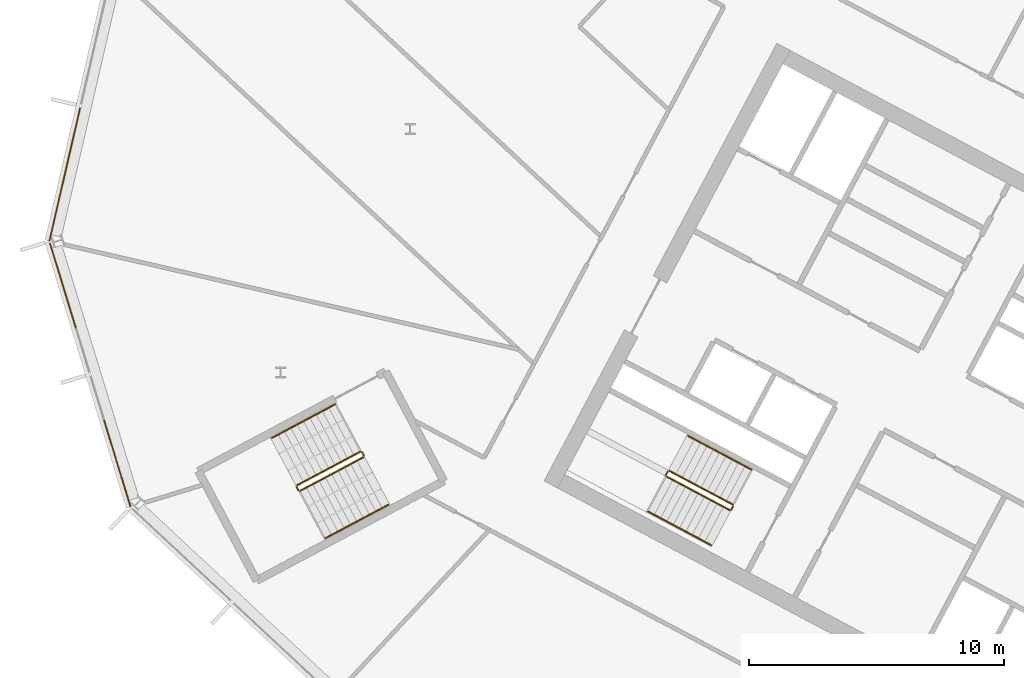
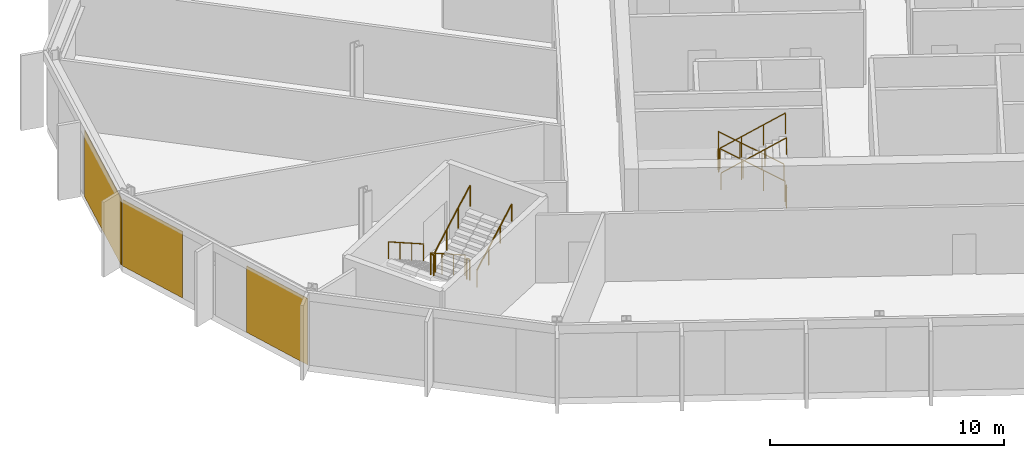
# One storey, part 21 of 27: 12 railings, 3 coverings, 2 elements without a shape of their own.
"""IFC4 building model written with IfcOpenShell, lengths in metres."""

from ifc_helpers import new_model, si_unit, direction, frame, origin, origin_2d, place, context, subcontext, project, spatial, polyline, rectangle, outline, extrude, material, layer, layer_set, type_object, element, aggregate, save


model = new_model("IFC4")

# Units and contexts
model_context = context("Model", 3, precision=1e-05, world=origin(), true_north=direction((0.0, 1.0)))
body_context = subcontext(model_context, "Body", "Model", "MODEL_VIEW")
ifc_project = project(units=[si_unit("LENGTHUNIT", "METRE"), si_unit("AREAUNIT", "SQUARE_METRE"), si_unit("VOLUMEUNIT", "CUBIC_METRE"), si_unit("PLANEANGLEUNIT", "RADIAN"), si_unit("MASSUNIT", "GRAM", prefix="KILO")], contexts=[model_context])

# Site, building, storey
site_placement = place(None, origin())
site = spatial("IfcSite", under=ifc_project, at=site_placement, CompositionType="ELEMENT")
building_placement = place(site_placement, origin())
building = spatial("IfcBuilding", under=site, at=building_placement, Name="Cormorant Relay Tower", CompositionType="ELEMENT")
storey_placement = place(building_placement, frame((0.0, 0.0, 209.10009765625)))
storey = spatial("IfcBuildingStorey", under=building, at=storey_placement, Name="L45", CompositionType="ELEMENT", Elevation=209.10009765625)

# Curtain wall, covering
ifc_material_1 = material(Name="Aluminium 6063-T6 anodised bronze", Category="aluminium")
ifc_layer_1 = layer(ifc_material_1, 0.199951171875)
ifc_layer_set_1 = layer_set([ifc_layer_1], Name="CW1 unitised bronze curtain wall with vertical fins")
curtain_wall_type = type_object("IfcCurtainWallType", Name="CW1 unitised bronze curtain wall with vertical fins", PredefinedType="NOTDEFINED", material=ifc_layer_set_1)
curtain_wall_1_placement = place(storey_placement, origin())
curtain_wall_1 = element("IfcCurtainWall", 1, at=curtain_wall_1_placement, inside=storey, type_object=curtain_wall_type, Name="CW1 curtain wall 13", PredefinedType="NOTDEFINED")
ifc_material_2 = material(Name="Pale bronze anodised aluminium insulated panel", Category="aluminium")
ifc_layer_2 = layer(ifc_material_2, 0.0400390625)
ifc_layer_set_2 = layer_set([ifc_layer_2], Name="CW1 pale bronze insulated panel 40")
covering_type = type_object("IfcCoveringType", Name="CW1 pale bronze insulated panel 40", PredefinedType="CLADDING", material=ifc_layer_set_2)
covering_1_placement = place(storey_placement, frame((-60.136474609375, 23.00927734375, 0.0), z_axis=(0.0, 0.0, 1.0), x_axis=(-0.224951054344, -0.974370064785, 0.0)))
covering_1 = element("IfcCovering", 2, at=covering_1_placement, type_object=covering_type, Name="CW1 panel S02", PredefinedType="CLADDING", context=body_context, shape_type="SweptSolid", body=[
    extrude(rectangle(XDim=5.360107421875, YDim=0.0400390625, at=origin_2d()), origin(), (0.0, 0.0, 1.0), 3.449951171875),
])
aggregate(curtain_wall_1, [covering_1])

# Curtain wall, coverings
curtain_wall_2_placement = place(storey_placement, origin())
curtain_wall_2 = element("IfcCurtainWall", 3, at=curtain_wall_2_placement, inside=storey, type_object=curtain_wall_type, Name="CW1 curtain wall 14", PredefinedType="NOTDEFINED")
covering_2_placement = place(storey_placement, frame((-60.20751953125, 18.6494140625, 0.0), z_axis=(0.0, 0.0, 1.0), x_axis=(0.292371704723, -0.956304755963, 0.0)))
covering_2 = element("IfcCovering", 4, at=covering_2_placement, type_object=covering_type, Name="CW1 panel S00", PredefinedType="CLADDING", context=body_context, shape_type="SweptSolid", body=[
    extrude(rectangle(XDim=3.485107421875, YDim=0.0400390625, at=origin_2d()), origin(), (0.0, 0.0, 1.0), 3.449951171875),
])
covering_3_placement = place(storey_placement, frame((-58.081298828125, 11.6943359375, 0.0), z_axis=(0.0, 0.0, 1.0), x_axis=(0.292371704723, -0.956304755963, 0.0)))
covering_3 = element("IfcCovering", 5, at=covering_3_placement, type_object=covering_type, Name="CW1 panel S03", PredefinedType="CLADDING", context=body_context, shape_type="SweptSolid", body=[
    extrude(rectangle(XDim=3.560302734375, YDim=0.0400390625, at=origin_2d()), origin(), (0.0, 0.0, 1.0), 3.449951171875),
])
aggregate(curtain_wall_2, [covering_2, covering_3])

# Railings
ifc_material_3 = material(Name="Steel ASTM A572 Grade 50 (Fy 345 MPa)", Category="steel")
railing_type_1 = type_object("IfcRailingType", Name="Stair guard 1100", PredefinedType="GUARDRAIL", material=ifc_material_3)
railing_1_placement = place(storey_placement, frame((-33.9921875, 10.08935546875, 0.17724609375)))
element("IfcRailing", 6, at=railing_1_placement, inside=storey, type_object=railing_type_1, Name="L45 A2 stair guard 1", PredefinedType="GUARDRAIL", context=body_context, shape_type="SweptSolid", body=[
    extrude(outline(polyline([(0.022216796875, 0.00927734375), (0.00927734375, 0.022216796875), (-0.00927734375, 0.022216796875), (-0.022216796875, 0.00927734375), (-0.022216796875, -0.00927734375), (-0.00927734375, -0.022216796875), (0.00927734375, -0.022216796875), (0.022216796875, -0.00927734375), (0.022216796875, 0.00927734375)])), frame((0.0, 0.0, 1.076171875), z_axis=(-0.746001213114, 0.396649272309, 0.534931345884), x_axis=(-0.469465464807, -0.882950835185, 0.0)), (0.0, 0.0, 1.0), 3.31396484375),
    extrude(outline(polyline([(0.019287109375, 0.008056640625), (0.008056640625, 0.019287109375), (-0.008056640625, 0.019287109375), (-0.019287109375, 0.008056640625), (-0.019287109375, -0.008056640625), (-0.008056640625, -0.019287109375), (0.008056640625, -0.019287109375), (0.019287109375, -0.008056640625), (0.019287109375, 0.008056640625)])), origin(), (0.0, 0.0, 1.0), 1.052001953125),
    extrude(outline(polyline([(0.019287109375, 0.008056640625), (0.008056640625, 0.019287109375), (-0.008056640625, 0.019287109375), (-0.019287109375, 0.008056640625), (-0.019287109375, -0.008056640625), (-0.008056640625, -0.019287109375), (0.008056640625, -0.019287109375), (0.019287109375, -0.008056640625), (0.019287109375, 0.008056640625)])), frame((-0.823974609375, 0.438232421875, 0.5908203125)), (0.0, 0.0, 1.0), 1.052001953125),
    extrude(outline(polyline([(0.019287109375, 0.008056640625), (0.008056640625, 0.019287109375), (-0.008056640625, 0.019287109375), (-0.019287109375, 0.008056640625), (-0.019287109375, -0.008056640625), (-0.008056640625, -0.019287109375), (0.008056640625, -0.019287109375), (0.019287109375, -0.008056640625), (0.019287109375, 0.008056640625)])), frame((-1.648193359375, 0.876220703125, 1.181884765625)), (0.0, 0.0, 1.0), 1.052001953125),
    extrude(outline(polyline([(0.019287109375, 0.008056640625), (0.008056640625, 0.019287109375), (-0.008056640625, 0.019287109375), (-0.019287109375, 0.008056640625), (-0.019287109375, -0.008056640625), (-0.008056640625, -0.019287109375), (0.008056640625, -0.019287109375), (0.019287109375, -0.008056640625), (0.019287109375, 0.008056640625)])), frame((-2.47216796875, 1.314453125, 1.772705078125)), (0.0, 0.0, 1.0), 1.052001953125),
])
railing_2_placement = place(storey_placement, frame((-36.531982421875, 11.38330078125, 1.949951171875)))
element("IfcRailing", 7, at=railing_2_placement, inside=storey, type_object=railing_type_1, Name="L45 A2 stair guard 2", PredefinedType="GUARDRAIL", context=body_context, shape_type="SweptSolid", body=[
    extrude(outline(polyline([(0.022216796875, 0.00927734375), (0.00927734375, 0.022216796875), (-0.00927734375, 0.022216796875), (-0.022216796875, 0.00927734375), (-0.022216796875, -0.00927734375), (-0.00927734375, -0.022216796875), (0.00927734375, -0.022216796875), (0.022216796875, -0.00927734375), (0.022216796875, 0.00927734375)])), frame((0.0, 0.0, 1.076171875), z_axis=(-0.469828648786, -0.882757634224, 0.0), x_axis=(0.882757634224, -0.469828648786, 0.0)), (0.0, 0.0, 1.0), 0.150146484375),
    extrude(outline(polyline([(0.019287109375, 0.008056640625), (0.008056640625, 0.019287109375), (-0.008056640625, 0.019287109375), (-0.019287109375, 0.008056640625), (-0.019287109375, -0.008056640625), (-0.008056640625, -0.019287109375), (0.008056640625, -0.019287109375), (0.019287109375, -0.008056640625), (0.019287109375, 0.008056640625)])), origin(), (0.0, 0.0, 1.0), 1.052001953125),
    extrude(outline(polyline([(0.019287109375, 0.008056640625), (0.008056640625, 0.019287109375), (-0.008056640625, 0.019287109375), (-0.019287109375, 0.008056640625), (-0.019287109375, -0.008056640625), (-0.008056640625, -0.019287109375), (0.008056640625, -0.019287109375), (0.019287109375, -0.008056640625), (0.019287109375, 0.008056640625)])), frame((-0.070556640625, -0.132568359375, 0.0)), (0.0, 0.0, 1.0), 1.052001953125),
])
railing_3_placement = place(storey_placement, frame((-36.581787109375, 11.18310546875, 2.127197265625)))
element("IfcRailing", 8, at=railing_3_placement, inside=storey, type_object=railing_type_1, Name="L45 A2 stair guard 3", PredefinedType="GUARDRAIL", context=body_context, shape_type="SweptSolid", body=[
    extrude(outline(polyline([(0.022216796875, 0.00927734375), (0.00927734375, 0.022216796875), (-0.00927734375, 0.022216796875), (-0.022216796875, 0.00927734375), (-0.022216796875, -0.00927734375), (-0.00927734375, -0.022216796875), (0.00927734375, -0.022216796875), (0.022216796875, -0.00927734375), (0.022216796875, 0.00927734375)])), frame((0.0, 0.0, 1.076171875), z_axis=(0.746001213114, -0.396649272309, 0.534931345884), x_axis=(0.469465464807, 0.882950835185, 0.0)), (0.0, 0.0, 1.0), 3.31396484375),
    extrude(outline(polyline([(0.019287109375, 0.008056640625), (0.008056640625, 0.019287109375), (-0.008056640625, 0.019287109375), (-0.019287109375, 0.008056640625), (-0.019287109375, -0.008056640625), (-0.008056640625, -0.019287109375), (0.008056640625, -0.019287109375), (0.019287109375, -0.008056640625), (0.019287109375, 0.008056640625)])), origin(), (0.0, 0.0, 1.0), 1.052001953125),
    extrude(outline(polyline([(0.019287109375, 0.008056640625), (0.008056640625, 0.019287109375), (-0.008056640625, 0.019287109375), (-0.019287109375, 0.008056640625), (-0.019287109375, -0.008056640625), (-0.008056640625, -0.019287109375), (0.008056640625, -0.019287109375), (0.019287109375, -0.008056640625), (0.019287109375, 0.008056640625)])), frame((0.823974609375, -0.438232421875, 0.5908203125)), (0.0, 0.0, 1.0), 1.052001953125),
    extrude(outline(polyline([(0.019287109375, 0.008056640625), (0.008056640625, 0.019287109375), (-0.008056640625, 0.019287109375), (-0.019287109375, 0.008056640625), (-0.019287109375, -0.008056640625), (-0.008056640625, -0.019287109375), (0.008056640625, -0.019287109375), (0.019287109375, -0.008056640625), (0.019287109375, 0.008056640625)])), frame((1.648193359375, -0.876220703125, 1.181884765625)), (0.0, 0.0, 1.0), 1.052001953125),
    extrude(outline(polyline([(0.019287109375, 0.008056640625), (0.008056640625, 0.019287109375), (-0.008056640625, 0.019287109375), (-0.019287109375, 0.008056640625), (-0.019287109375, -0.008056640625), (-0.008056640625, -0.019287109375), (0.008056640625, -0.019287109375), (0.019287109375, -0.008056640625), (0.019287109375, 0.008056640625)])), frame((2.47216796875, -1.314453125, 1.772705078125)), (0.0, 0.0, 1.0), 1.052001953125),
])
railing_4_placement = place(storey_placement, frame((-33.971435546875, 10.021728515625, 0.0)))
element("IfcRailing", 9, at=railing_4_placement, inside=storey, type_object=railing_type_1, Name="L45 A2 stair guard 4", PredefinedType="GUARDRAIL", context=body_context, shape_type="SweptSolid", body=[
    extrude(outline(polyline([(0.022216796875, 0.00927734375), (0.00927734375, 0.022216796875), (-0.00927734375, 0.022216796875), (-0.022216796875, 0.00927734375), (-0.022216796875, -0.00927734375), (-0.00927734375, -0.022216796875), (0.00927734375, -0.022216796875), (0.022216796875, -0.00927734375), (0.022216796875, 0.00927734375)])), frame((0.0, 0.0, 1.076171875), z_axis=(-0.470503732759, -0.882398003998, 0.0), x_axis=(0.882398003998, -0.470503732759, 0.0)), (0.0, 0.0, 1.0), 0.14990234375),
    extrude(outline(polyline([(0.019287109375, 0.008056640625), (0.008056640625, 0.019287109375), (-0.008056640625, 0.019287109375), (-0.019287109375, 0.008056640625), (-0.019287109375, -0.008056640625), (-0.008056640625, -0.019287109375), (0.008056640625, -0.019287109375), (0.019287109375, -0.008056640625), (0.019287109375, 0.008056640625)])), origin(), (0.0, 0.0, 1.0), 1.052001953125),
    extrude(outline(polyline([(0.019287109375, 0.008056640625), (0.008056640625, 0.019287109375), (-0.008056640625, 0.019287109375), (-0.019287109375, 0.008056640625), (-0.019287109375, -0.008056640625), (-0.008056640625, -0.019287109375), (0.008056640625, -0.019287109375), (0.019287109375, -0.008056640625), (0.019287109375, 0.008056640625)])), frame((-0.070556640625, -0.13232421875, 0.0)), (0.0, 0.0, 1.0), 1.052001953125),
])
railing_5_placement = place(storey_placement, frame((-48.5693359375, 12.155517578125, 0.17724609375)))
element("IfcRailing", 10, at=railing_5_placement, inside=storey, type_object=railing_type_1, Name="L45 RP1 stair guard 1", PredefinedType="GUARDRAIL", context=body_context, shape_type="SweptSolid", body=[
    extrude(outline(polyline([(0.022216796875, 0.00927734375), (0.00927734375, 0.022216796875), (-0.00927734375, 0.022216796875), (-0.022216796875, 0.00927734375), (-0.022216796875, -0.00927734375), (-0.00927734375, -0.022216796875), (0.00927734375, -0.022216796875), (0.022216796875, -0.00927734375), (0.022216796875, 0.00927734375)])), frame((0.0, 0.0, 1.076171875), z_axis=(-0.746012083385, -0.396689549623, 0.534886317514), x_axis=(0.469497295046, -0.882933910293, 0.0)), (0.0, 0.0, 1.0), 3.314208984375),
    extrude(outline(polyline([(0.019287109375, 0.008056640625), (0.008056640625, 0.019287109375), (-0.008056640625, 0.019287109375), (-0.019287109375, 0.008056640625), (-0.019287109375, -0.008056640625), (-0.008056640625, -0.019287109375), (0.008056640625, -0.019287109375), (0.019287109375, -0.008056640625), (0.019287109375, 0.008056640625)])), origin(), (0.0, 0.0, 1.0), 1.052001953125),
    extrude(outline(polyline([(0.019287109375, 0.008056640625), (0.008056640625, 0.019287109375), (-0.008056640625, 0.019287109375), (-0.019287109375, 0.008056640625), (-0.019287109375, -0.008056640625), (-0.008056640625, -0.019287109375), (0.008056640625, -0.019287109375), (0.019287109375, -0.008056640625), (0.019287109375, 0.008056640625)])), frame((-0.82421875, -0.438232421875, 0.5908203125)), (0.0, 0.0, 1.0), 1.052001953125),
    extrude(outline(polyline([(0.019287109375, 0.008056640625), (0.008056640625, 0.019287109375), (-0.008056640625, 0.019287109375), (-0.019287109375, 0.008056640625), (-0.019287109375, -0.008056640625), (-0.008056640625, -0.019287109375), (0.008056640625, -0.019287109375), (0.019287109375, -0.008056640625), (0.019287109375, 0.008056640625)])), frame((-1.648193359375, -0.87646484375, 1.181884765625)), (0.0, 0.0, 1.0), 1.052001953125),
    extrude(outline(polyline([(0.019287109375, 0.008056640625), (0.008056640625, 0.019287109375), (-0.008056640625, 0.019287109375), (-0.019287109375, 0.008056640625), (-0.019287109375, -0.008056640625), (-0.008056640625, -0.019287109375), (0.008056640625, -0.019287109375), (0.019287109375, -0.008056640625), (0.019287109375, 0.008056640625)])), frame((-2.472412109375, -1.314697265625, 1.772705078125)), (0.0, 0.0, 1.0), 1.052001953125),
])
railing_6_placement = place(storey_placement, frame((-51.062255859375, 10.773193359375, 1.949951171875)))
element("IfcRailing", 11, at=railing_6_placement, inside=storey, type_object=railing_type_1, Name="L45 RP1 stair guard 2", PredefinedType="GUARDRAIL", context=body_context, shape_type="SweptSolid", body=[
    extrude(outline(polyline([(0.022216796875, 0.00927734375), (0.00927734375, 0.022216796875), (-0.00927734375, 0.022216796875), (-0.022216796875, 0.00927734375), (-0.022216796875, -0.00927734375), (-0.00927734375, -0.022216796875), (0.00927734375, -0.022216796875), (0.022216796875, -0.00927734375), (0.022216796875, 0.00927734375)])), frame((0.0, 0.0, 1.076171875), z_axis=(0.469234640946, -0.883073525669, 0.0), x_axis=(0.883073525669, 0.469234640946, 0.0)), (0.0, 0.0, 1.0), 0.14990234375),
    extrude(outline(polyline([(0.019287109375, 0.008056640625), (0.008056640625, 0.019287109375), (-0.008056640625, 0.019287109375), (-0.019287109375, 0.008056640625), (-0.019287109375, -0.008056640625), (-0.008056640625, -0.019287109375), (0.008056640625, -0.019287109375), (0.019287109375, -0.008056640625), (0.019287109375, 0.008056640625)])), origin(), (0.0, 0.0, 1.0), 1.052001953125),
    extrude(outline(polyline([(0.019287109375, 0.008056640625), (0.008056640625, 0.019287109375), (-0.008056640625, 0.019287109375), (-0.019287109375, 0.008056640625), (-0.019287109375, -0.008056640625), (-0.008056640625, -0.019287109375), (0.008056640625, -0.019287109375), (0.019287109375, -0.008056640625), (0.019287109375, 0.008056640625)])), frame((0.0703125, -0.13232421875, 0.0)), (0.0, 0.0, 1.0), 1.052001953125),
])
railing_7_placement = place(storey_placement, frame((-50.92431640625, 10.6201171875, 2.127197265625)))
element("IfcRailing", 12, at=railing_7_placement, inside=storey, type_object=railing_type_1, Name="L45 RP1 stair guard 3", PredefinedType="GUARDRAIL", context=body_context, shape_type="SweptSolid", body=[
    extrude(outline(polyline([(0.022216796875, 0.00927734375), (0.00927734375, 0.022216796875), (-0.00927734375, 0.022216796875), (-0.022216796875, 0.00927734375), (-0.022216796875, -0.00927734375), (-0.00927734375, -0.022216796875), (0.00927734375, -0.022216796875), (0.022216796875, -0.00927734375), (0.022216796875, 0.00927734375)])), frame((0.0, 0.0, 1.076171875), z_axis=(0.746033882577, 0.396627473466, 0.534901947407), x_axis=(-0.469429322983, 0.882970050864, 0.0)), (0.0, 0.0, 1.0), 3.31396484375),
    extrude(outline(polyline([(0.019287109375, 0.008056640625), (0.008056640625, 0.019287109375), (-0.008056640625, 0.019287109375), (-0.019287109375, 0.008056640625), (-0.019287109375, -0.008056640625), (-0.008056640625, -0.019287109375), (0.008056640625, -0.019287109375), (0.019287109375, -0.008056640625), (0.019287109375, 0.008056640625)])), origin(), (0.0, 0.0, 1.0), 1.052001953125),
    extrude(outline(polyline([(0.019287109375, 0.008056640625), (0.008056640625, 0.019287109375), (-0.008056640625, 0.019287109375), (-0.019287109375, 0.008056640625), (-0.019287109375, -0.008056640625), (-0.008056640625, -0.019287109375), (0.008056640625, -0.019287109375), (0.019287109375, -0.008056640625), (0.019287109375, 0.008056640625)])), frame((0.82421875, 0.438232421875, 0.5908203125)), (0.0, 0.0, 1.0), 1.052001953125),
    extrude(outline(polyline([(0.019287109375, 0.008056640625), (0.008056640625, 0.019287109375), (-0.008056640625, 0.019287109375), (-0.019287109375, 0.008056640625), (-0.019287109375, -0.008056640625), (-0.008056640625, -0.019287109375), (0.008056640625, -0.019287109375), (0.019287109375, -0.008056640625), (0.019287109375, 0.008056640625)])), frame((1.648193359375, 0.876220703125, 1.181884765625)), (0.0, 0.0, 1.0), 1.052001953125),
    extrude(outline(polyline([(0.019287109375, 0.008056640625), (0.008056640625, 0.019287109375), (-0.008056640625, 0.019287109375), (-0.019287109375, 0.008056640625), (-0.019287109375, -0.008056640625), (-0.008056640625, -0.019287109375), (0.008056640625, -0.019287109375), (0.019287109375, -0.008056640625), (0.019287109375, 0.008056640625)])), frame((2.472412109375, 1.314453125, 1.772705078125)), (0.0, 0.0, 1.0), 1.052001953125),
])
railing_8_placement = place(storey_placement, frame((-48.501708984375, 12.134765625, 0.0)))
element("IfcRailing", 13, at=railing_8_placement, inside=storey, type_object=railing_type_1, Name="L45 RP1 stair guard 4", PredefinedType="GUARDRAIL", context=body_context, shape_type="SweptSolid", body=[
    extrude(outline(polyline([(0.022216796875, 0.00927734375), (0.00927734375, 0.022216796875), (-0.00927734375, 0.022216796875), (-0.022216796875, 0.00927734375), (-0.022216796875, -0.00927734375), (-0.00927734375, -0.022216796875), (0.00927734375, -0.022216796875), (0.022216796875, -0.00927734375), (0.022216796875, 0.00927734375)])), frame((0.0, 0.0, 1.076171875), z_axis=(0.46856034887, -0.8834314911, 0.0), x_axis=(0.8834314911, 0.46856034887, 0.0)), (0.0, 0.0, 1.0), 0.150146484375),
    extrude(outline(polyline([(0.019287109375, 0.008056640625), (0.008056640625, 0.019287109375), (-0.008056640625, 0.019287109375), (-0.019287109375, 0.008056640625), (-0.019287109375, -0.008056640625), (-0.008056640625, -0.019287109375), (0.008056640625, -0.019287109375), (0.019287109375, -0.008056640625), (0.019287109375, 0.008056640625)])), origin(), (0.0, 0.0, 1.0), 1.052001953125),
    extrude(outline(polyline([(0.019287109375, 0.008056640625), (0.008056640625, 0.019287109375), (-0.008056640625, 0.019287109375), (-0.019287109375, 0.008056640625), (-0.019287109375, -0.008056640625), (-0.008056640625, -0.019287109375), (0.008056640625, -0.019287109375), (0.019287109375, -0.008056640625), (0.019287109375, 0.008056640625)])), frame((0.0703125, -0.132568359375, 0.0)), (0.0, 0.0, 1.0), 1.052001953125),
])
ifc_material_4 = material(Name="Steel ASTM A572 Grade 50 (Fy 345 MPa)", Category="steel")
railing_type_2 = type_object("IfcRailingType", Name="Stair handrail 900", PredefinedType="HANDRAIL", material=ifc_material_4)
railing_9_placement = place(storey_placement, frame((-33.264404296875, 11.4580078125, 0.17724609375)))
element("IfcRailing", 14, at=railing_9_placement, inside=storey, type_object=railing_type_2, Name="L45 A2 stair handrail 1", PredefinedType="HANDRAIL", context=body_context, shape_type="SweptSolid", body=[
    extrude(outline(polyline([(0.022216796875, 0.00927734375), (0.00927734375, 0.022216796875), (-0.00927734375, 0.022216796875), (-0.022216796875, 0.00927734375), (-0.022216796875, -0.00927734375), (-0.00927734375, -0.022216796875), (0.00927734375, -0.022216796875), (0.022216796875, -0.00927734375), (0.022216796875, 0.00927734375)])), frame((0.0, 0.0, 0.8759765625), z_axis=(-0.746033882577, 0.396627473466, 0.534901947407), x_axis=(-0.469429322983, -0.882970050864, 0.0)), (0.0, 0.0, 1.0), 3.31396484375),
    extrude(outline(polyline([(0.019287109375, 0.008056640625), (0.008056640625, 0.019287109375), (-0.008056640625, 0.019287109375), (-0.019287109375, 0.008056640625), (-0.019287109375, -0.008056640625), (-0.008056640625, -0.019287109375), (0.008056640625, -0.019287109375), (0.019287109375, -0.008056640625), (0.019287109375, 0.008056640625)])), origin(), (0.0, 0.0, 1.0), 0.851806640625),
    extrude(outline(polyline([(0.019287109375, 0.008056640625), (0.008056640625, 0.019287109375), (-0.008056640625, 0.019287109375), (-0.019287109375, 0.008056640625), (-0.019287109375, -0.008056640625), (-0.008056640625, -0.019287109375), (0.008056640625, -0.019287109375), (0.019287109375, -0.008056640625), (0.019287109375, 0.008056640625)])), frame((-0.82421875, 0.438232421875, 0.5908203125)), (0.0, 0.0, 1.0), 0.851806640625),
    extrude(outline(polyline([(0.019287109375, 0.008056640625), (0.008056640625, 0.019287109375), (-0.008056640625, 0.019287109375), (-0.019287109375, 0.008056640625), (-0.019287109375, -0.008056640625), (-0.008056640625, -0.019287109375), (0.008056640625, -0.019287109375), (0.019287109375, -0.008056640625), (0.019287109375, 0.008056640625)])), frame((-1.648193359375, 0.876220703125, 1.181884765625)), (0.0, 0.0, 1.0), 0.851806640625),
    extrude(outline(polyline([(0.019287109375, 0.008056640625), (0.008056640625, 0.019287109375), (-0.008056640625, 0.019287109375), (-0.019287109375, 0.008056640625), (-0.019287109375, -0.008056640625), (-0.008056640625, -0.019287109375), (0.008056640625, -0.019287109375), (0.019287109375, -0.008056640625), (0.019287109375, 0.008056640625)])), frame((-2.472412109375, 1.314453125, 1.772705078125)), (0.0, 0.0, 1.0), 0.851806640625),
])
railing_10_placement = place(storey_placement, frame((-37.3095703125, 9.814453125, 2.127197265625)))
element("IfcRailing", 15, at=railing_10_placement, inside=storey, type_object=railing_type_2, Name="L45 A2 stair handrail 2", PredefinedType="HANDRAIL", context=body_context, shape_type="SweptSolid", body=[
    extrude(outline(polyline([(0.022216796875, 0.00927734375), (0.00927734375, 0.022216796875), (-0.00927734375, 0.022216796875), (-0.022216796875, 0.00927734375), (-0.022216796875, -0.00927734375), (-0.00927734375, -0.022216796875), (0.00927734375, -0.022216796875), (0.022216796875, -0.00927734375), (0.022216796875, 0.00927734375)])), frame((0.0, 0.0, 0.8759765625), z_axis=(0.746033882577, -0.396627473466, 0.534901947407), x_axis=(0.469429322983, 0.882970050864, 0.0)), (0.0, 0.0, 1.0), 3.31396484375),
    extrude(outline(polyline([(0.019287109375, 0.008056640625), (0.008056640625, 0.019287109375), (-0.008056640625, 0.019287109375), (-0.019287109375, 0.008056640625), (-0.019287109375, -0.008056640625), (-0.008056640625, -0.019287109375), (0.008056640625, -0.019287109375), (0.019287109375, -0.008056640625), (0.019287109375, 0.008056640625)])), origin(), (0.0, 0.0, 1.0), 0.851806640625),
    extrude(outline(polyline([(0.019287109375, 0.008056640625), (0.008056640625, 0.019287109375), (-0.008056640625, 0.019287109375), (-0.019287109375, 0.008056640625), (-0.019287109375, -0.008056640625), (-0.008056640625, -0.019287109375), (0.008056640625, -0.019287109375), (0.019287109375, -0.008056640625), (0.019287109375, 0.008056640625)])), frame((0.82421875, -0.438232421875, 0.5908203125)), (0.0, 0.0, 1.0), 0.851806640625),
    extrude(outline(polyline([(0.019287109375, 0.008056640625), (0.008056640625, 0.019287109375), (-0.008056640625, 0.019287109375), (-0.019287109375, 0.008056640625), (-0.019287109375, -0.008056640625), (-0.008056640625, -0.019287109375), (0.008056640625, -0.019287109375), (0.019287109375, -0.008056640625), (0.019287109375, 0.008056640625)])), frame((1.648193359375, -0.876220703125, 1.181884765625)), (0.0, 0.0, 1.0), 0.851806640625),
    extrude(outline(polyline([(0.019287109375, 0.008056640625), (0.008056640625, 0.019287109375), (-0.008056640625, 0.019287109375), (-0.019287109375, 0.008056640625), (-0.019287109375, -0.008056640625), (-0.008056640625, -0.019287109375), (0.008056640625, -0.019287109375), (0.019287109375, -0.008056640625), (0.019287109375, 0.008056640625)])), frame((2.472412109375, -1.314453125, 1.772705078125)), (0.0, 0.0, 1.0), 0.851806640625),
])
railing_11_placement = place(storey_placement, frame((-49.55517578125, 14.009521484375, 0.17724609375)))
element("IfcRailing", 16, at=railing_11_placement, inside=storey, type_object=railing_type_2, Name="L45 RP1 stair handrail 1", PredefinedType="HANDRAIL", context=body_context, shape_type="SweptSolid", body=[
    extrude(outline(polyline([(0.022216796875, 0.00927734375), (0.00927734375, 0.022216796875), (-0.00927734375, 0.022216796875), (-0.022216796875, 0.00927734375), (-0.022216796875, -0.00927734375), (-0.00927734375, -0.022216796875), (0.00927734375, -0.022216796875), (0.022216796875, -0.00927734375), (0.022216796875, 0.00927734375)])), frame((0.0, 0.0, 0.8759765625), z_axis=(-0.746033882577, -0.396627473466, 0.534901947407), x_axis=(0.469429322983, -0.882970050864, 0.0)), (0.0, 0.0, 1.0), 3.31396484375),
    extrude(outline(polyline([(0.019287109375, 0.008056640625), (0.008056640625, 0.019287109375), (-0.008056640625, 0.019287109375), (-0.019287109375, 0.008056640625), (-0.019287109375, -0.008056640625), (-0.008056640625, -0.019287109375), (0.008056640625, -0.019287109375), (0.019287109375, -0.008056640625), (0.019287109375, 0.008056640625)])), origin(), (0.0, 0.0, 1.0), 0.851806640625),
    extrude(outline(polyline([(0.019287109375, 0.008056640625), (0.008056640625, 0.019287109375), (-0.008056640625, 0.019287109375), (-0.019287109375, 0.008056640625), (-0.019287109375, -0.008056640625), (-0.008056640625, -0.019287109375), (0.008056640625, -0.019287109375), (0.019287109375, -0.008056640625), (0.019287109375, 0.008056640625)])), frame((-0.82421875, -0.438232421875, 0.5908203125)), (0.0, 0.0, 1.0), 0.851806640625),
    extrude(outline(polyline([(0.019287109375, 0.008056640625), (0.008056640625, 0.019287109375), (-0.008056640625, 0.019287109375), (-0.019287109375, 0.008056640625), (-0.019287109375, -0.008056640625), (-0.008056640625, -0.019287109375), (0.008056640625, -0.019287109375), (0.019287109375, -0.008056640625), (0.019287109375, 0.008056640625)])), frame((-1.648193359375, -0.876220703125, 1.181884765625)), (0.0, 0.0, 1.0), 0.851806640625),
    extrude(outline(polyline([(0.019287109375, 0.008056640625), (0.008056640625, 0.019287109375), (-0.008056640625, 0.019287109375), (-0.019287109375, 0.008056640625), (-0.019287109375, -0.008056640625), (-0.008056640625, -0.019287109375), (0.008056640625, -0.019287109375), (0.019287109375, -0.008056640625), (0.019287109375, 0.008056640625)])), frame((-2.472412109375, -1.314453125, 1.772705078125)), (0.0, 0.0, 1.0), 0.851806640625),
])
railing_12_placement = place(storey_placement, frame((-49.9384765625, 8.765869140625, 2.127197265625)))
element("IfcRailing", 17, at=railing_12_placement, inside=storey, type_object=railing_type_2, Name="L45 RP1 stair handrail 2", PredefinedType="HANDRAIL", context=body_context, shape_type="SweptSolid", body=[
    extrude(outline(polyline([(0.022216796875, 0.00927734375), (0.00927734375, 0.022216796875), (-0.00927734375, 0.022216796875), (-0.022216796875, 0.00927734375), (-0.022216796875, -0.00927734375), (-0.00927734375, -0.022216796875), (0.00927734375, -0.022216796875), (0.022216796875, -0.00927734375), (0.022216796875, 0.00927734375)])), frame((0.0, 0.0, 0.8759765625), z_axis=(0.746012083385, 0.396689549623, 0.534886317514), x_axis=(-0.469497295046, 0.882933910293, 0.0)), (0.0, 0.0, 1.0), 3.314208984375),
    extrude(outline(polyline([(0.019287109375, 0.008056640625), (0.008056640625, 0.019287109375), (-0.008056640625, 0.019287109375), (-0.019287109375, 0.008056640625), (-0.019287109375, -0.008056640625), (-0.008056640625, -0.019287109375), (0.008056640625, -0.019287109375), (0.019287109375, -0.008056640625), (0.019287109375, 0.008056640625)])), origin(), (0.0, 0.0, 1.0), 0.851806640625),
    extrude(outline(polyline([(0.019287109375, 0.008056640625), (0.008056640625, 0.019287109375), (-0.008056640625, 0.019287109375), (-0.019287109375, 0.008056640625), (-0.019287109375, -0.008056640625), (-0.008056640625, -0.019287109375), (0.008056640625, -0.019287109375), (0.019287109375, -0.008056640625), (0.019287109375, 0.008056640625)])), frame((0.82421875, 0.438232421875, 0.5908203125)), (0.0, 0.0, 1.0), 0.851806640625),
    extrude(outline(polyline([(0.019287109375, 0.008056640625), (0.008056640625, 0.019287109375), (-0.008056640625, 0.019287109375), (-0.019287109375, 0.008056640625), (-0.019287109375, -0.008056640625), (-0.008056640625, -0.019287109375), (0.008056640625, -0.019287109375), (0.019287109375, -0.008056640625), (0.019287109375, 0.008056640625)])), frame((1.648193359375, 0.87646484375, 1.181884765625)), (0.0, 0.0, 1.0), 0.851806640625),
    extrude(outline(polyline([(0.019287109375, 0.008056640625), (0.008056640625, 0.019287109375), (-0.008056640625, 0.019287109375), (-0.019287109375, 0.008056640625), (-0.019287109375, -0.008056640625), (-0.008056640625, -0.019287109375), (0.008056640625, -0.019287109375), (0.019287109375, -0.008056640625), (0.019287109375, 0.008056640625)])), frame((2.472412109375, 1.314697265625, 1.772705078125)), (0.0, 0.0, 1.0), 0.851806640625),
])

save(model, "model.ifc")
